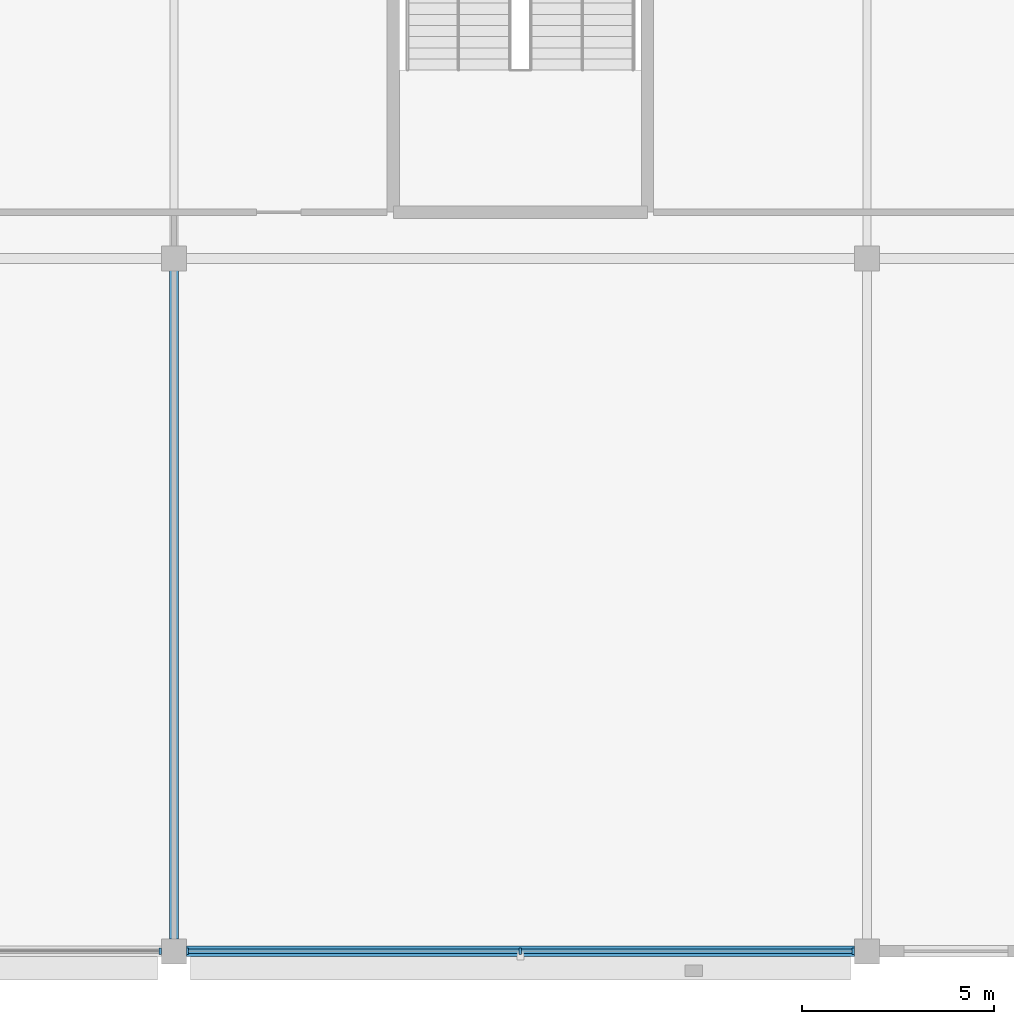
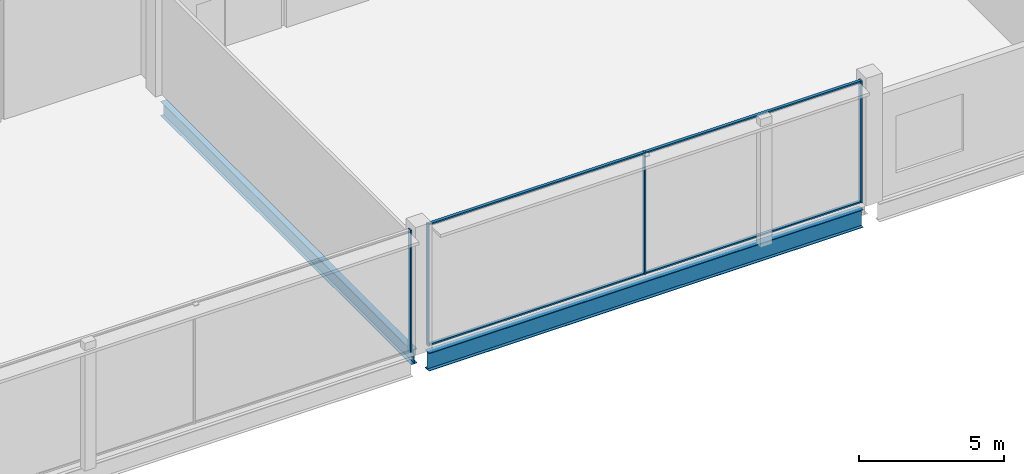
# One storey, part 21 of 111: 8 members, 2 beams, 2 elements without a shape of their own.
"""IFC4 building model written with IfcOpenShell, lengths in metres."""

import ifcopenshell
import ifcopenshell.guid

model = None  # the IFC model being written
_history = None  # IfcOwnerHistory: only IFC2X3 demands one
_inside = {}  # id of a spatial element -> (the spatial element, [elements in it])
_under = {}  # id of a project, library or spatial element -> (it, [spatial elements below it])
_declared = {}  # id of a project -> (the project, [libraries it declares])
_typed = {}  # id of a type object -> (the type object, [elements of that type])
_made_of = {}  # id of a material, layer set ... -> (it, [elements and type objects made of it])


def new_model(schema):
    """Start an empty IFC model of exactly this schema.

    Asked for "IFC4X3", IfcOpenShell would pick the latest addendum, in which some entities
    have other attributes; the version numbers below select the first issue.
    IFC2X3 requires an IfcOwnerHistory on every rooted entity: one is made here for all.
    """
    global model, _history
    if schema == "IFC4X3":
        model = ifcopenshell.file(schema_version=(4, 3, 0, 0))
    else:
        model = ifcopenshell.file(schema=schema)
    _inside.clear()
    _under.clear()
    _declared.clear()
    _typed.clear()
    _made_of.clear()
    _history = None
    if model.schema == "IFC2X3":
        org = make("IfcOrganization", Name="unknown")
        user = make(
            "IfcPersonAndOrganization",
            ThePerson=make("IfcPerson", FamilyName="unknown"),
            TheOrganization=org,
        )
        app = make(
            "IfcApplication",
            ApplicationDeveloper=org,
            Version="unknown",
            ApplicationFullName="unknown",
            ApplicationIdentifier="unknown",
        )
        _history = make(
            "IfcOwnerHistory",
            OwningUser=user,
            OwningApplication=app,
            ChangeAction="ADDED",
            CreationDate=0,
        )
    return model


def make(cls, **values):
    """One entity of the class cls with the attributes given. An attribute that is None is left unset."""
    return model.create_entity(
        cls, **{name: value for name, value in values.items() if value is not None}
    )


def rooted(cls, **values):
    """An entity with a GlobalId (a new one), such as an element, a storey or a relation."""
    return make(cls, GlobalId=ifcopenshell.guid.new(), OwnerHistory=_history, **values)


def si_unit(unit_type, name, prefix=None):
    """IfcSIUnit, for example si_unit("LENGTHUNIT", "METRE", prefix="MILLI")."""
    return make("IfcSIUnit", UnitType=unit_type, Prefix=prefix, Name=name)


def assignment(units):
    """IfcUnitAssignment: the units of a project."""
    return None if units is None else make("IfcUnitAssignment", Units=units)


def point(xyz):
    """IfcCartesianPoint."""
    return None if xyz is None else make("IfcCartesianPoint", Coordinates=xyz)


def direction(xyz):
    """IfcDirection."""
    return None if xyz is None else make("IfcDirection", DirectionRatios=xyz)


def frame(location, z_axis=None, x_axis=None):
    """IfcAxis2Placement3D, a coordinate frame: its origin and axes. An axis left out is left unset."""
    return make(
        "IfcAxis2Placement3D",
        Location=point(location),
        Axis=direction(z_axis),
        RefDirection=direction(x_axis),
    )


def frame_2d(location, x_axis=None):
    """IfcAxis2Placement2D, a coordinate frame in the plane: its origin and x axis."""
    return make(
        "IfcAxis2Placement2D", Location=point(location), RefDirection=direction(x_axis)
    )


def origin():
    """The frame at (0, 0, 0) with its axes left unset."""
    return frame((0.0, 0.0, 0.0))


def origin_2d():
    """The frame at (0, 0) in the plane with its x axis left unset."""
    return frame_2d((0.0, 0.0))


def place(relative_to, where):
    """IfcLocalPlacement: puts the frame where relative to a parent placement (None: the world)."""
    return make(
        "IfcLocalPlacement", PlacementRelTo=relative_to, RelativePlacement=where
    )


def context(
    kind, dimensions, precision=None, world=None, true_north=None, identifier=None
):
    """IfcGeometricRepresentationContext, for example the 3D "Model" context."""
    return make(
        "IfcGeometricRepresentationContext",
        ContextIdentifier=identifier,
        ContextType=kind,
        CoordinateSpaceDimension=dimensions,
        Precision=precision,
        WorldCoordinateSystem=world,
        TrueNorth=true_north,
    )


def subcontext(parent, identifier, kind, view, scale=None):
    """IfcGeometricRepresentationSubContext, for example "Body" below "Model"."""
    return make(
        "IfcGeometricRepresentationSubContext",
        ContextIdentifier=identifier,
        ContextType=kind,
        ParentContext=parent,
        TargetScale=scale,
        TargetView=view,
    )


def project(units=None, contexts=None):
    """IfcProject with its units and contexts."""
    return rooted(
        "IfcProject",
        Name="project",
        RepresentationContexts=contexts,
        UnitsInContext=assignment(units),
    )


def spatial(cls, under=None, at=None, **own):
    """A site, building, storey or space (cls), placed at a placement, below another one or the project."""
    s = rooted(cls, ObjectPlacement=at, **own)
    if under is not None:
        _under.setdefault(under.id(), (under, []))[1].append(s)
    return s


def profile(cls, at=None, kind="AREA", **sizes):
    """A parametric profile (cls). Its sizes go by their IFC names, for example OverallWidth=200.0."""
    return make(cls, ProfileType=kind, Position=at, **sizes)


def rectangle(**sizes):
    """IfcRectangleProfileDef."""
    return profile("IfcRectangleProfileDef", **sizes)


def i_section(**sizes):
    """IfcIShapeProfileDef."""
    return profile("IfcIShapeProfileDef", **sizes)


def extrude(swept, where, along, depth):
    """IfcExtrudedAreaSolid: the profile swept, set in the frame where, extruded along a direction by depth."""
    return make(
        "IfcExtrudedAreaSolid",
        SweptArea=swept,
        Position=where,
        ExtrudedDirection=direction(along),
        Depth=depth,
    )


def shape(context_of_items, identifier, shape_type, items):
    """IfcShapeRepresentation: the items that make up one representation, for example the "Body"."""
    return make(
        "IfcShapeRepresentation",
        ContextOfItems=context_of_items,
        RepresentationIdentifier=identifier,
        RepresentationType=shape_type,
        Items=items,
    )


def material(Name=None, Category=None):
    """IfcMaterial."""
    return make("IfcMaterial", Name=Name, Category=Category)


def layer(
    of_material, thickness, ventilated=None, Name=None, Category=None, Priority=None
):
    """IfcMaterialLayer: one layer of a wall or slab, of a material (None: an air gap)."""
    return make(
        "IfcMaterialLayer",
        Material=of_material,
        LayerThickness=thickness,
        IsVentilated=ventilated,
        Name=Name,
        Category=Category,
        Priority=Priority,
    )


def layer_set(layers, Name=None):
    """IfcMaterialLayerSet."""
    return make("IfcMaterialLayerSet", MaterialLayers=layers, LayerSetName=Name)


def material_profile(
    of_material, cross_section, Name=None, Category=None, Priority=None
):
    """IfcMaterialProfile: a cross section and its material."""
    return make(
        "IfcMaterialProfile",
        Name=Name,
        Material=of_material,
        Profile=cross_section,
        Priority=Priority,
        Category=Category,
    )


def profile_set(profiles, Name=None, composite=None):
    """IfcMaterialProfileSet."""
    return make(
        "IfcMaterialProfileSet",
        Name=Name,
        MaterialProfiles=profiles,
        CompositeProfile=composite,
    )


def made_of(thing, what):
    """Note that an element or type object is made of a material, layer set ...; save() writes the relation."""
    if what is not None:
        _made_of.setdefault(what.id(), (what, []))[1].append(thing)
    return thing


def type_object(cls, material=None, **own):
    """A type object (cls), such as IfcWallType, which elements share."""
    return made_of(rooted(cls, **own), material)


def element(
    cls,
    number,
    at=None,
    inside=None,
    cuts=None,
    type_object=None,
    material=None,
    context=None,
    identifier="Body",
    shape_type=None,
    held_by="IfcProductDefinitionShape",
    body=None,
    shapes=None,
    **own,
):
    """One element of the class cls, such as IfcWall. Its Tag is "e" and its number.

    at: its placement. inside: the storey or other place that contains it. cuts: it is an
    opening in that element (IfcRelVoidsElement). A single representation is given by context,
    identifier, shape_type and body (its items); several are given by shapes. held_by: the class
    of the entity that holds the representations. save() writes the other relations.
    """
    e = rooted(cls, Tag="e%d" % number, ObjectPlacement=at, **own)
    if body is not None:
        shapes = [shape(context, identifier, shape_type, body)]
    if shapes is not None:
        e.Representation = make(held_by, Representations=shapes)
    if inside is not None:
        _inside.setdefault(inside.id(), (inside, []))[1].append(e)
    if cuts is not None:
        rooted(
            "IfcRelVoidsElement", RelatingBuildingElement=cuts, RelatedOpeningElement=e
        )
    if type_object is not None:
        _typed.setdefault(type_object.id(), (type_object, []))[1].append(e)
    return made_of(e, material)


def aggregate(whole, parts):
    """IfcRelAggregates: a whole, such as a stair, and the parts it consists of."""
    return rooted("IfcRelAggregates", RelatingObject=whole, RelatedObjects=parts)


def save(model, path):
    """Write the relations noted so far, then the file.

    IfcRelAggregates (storeys below a building ...), IfcRelContainedInSpatialStructure (elements
    in a storey), IfcRelDefinesByType, IfcRelAssociatesMaterial and IfcRelDeclares: one each for
    every whole, place, type object, material and project.
    """
    for whole, parts in _under.values():
        aggregate(whole, parts)
    for where, things in _inside.values():
        rooted(
            "IfcRelContainedInSpatialStructure",
            RelatedElements=things,
            RelatingStructure=where,
        )
    for kind, things in _typed.values():
        rooted("IfcRelDefinesByType", RelatedObjects=things, RelatingType=kind)
    for what, things in _made_of.values():
        rooted("IfcRelAssociatesMaterial", RelatedObjects=things, RelatingMaterial=what)
    for by, libraries in _declared.values():
        rooted("IfcRelDeclares", RelatingContext=by, RelatedDefinitions=libraries)
    model.write(path)


model = new_model("IFC4")

# Units and contexts
model_context = context("Model", 3, precision=1e-05, world=origin(), true_north=direction((0.0, 1.0)))
body_context = subcontext(model_context, "Body", "Model", "MODEL_VIEW")
ifc_project = project(units=[si_unit("LENGTHUNIT", "METRE"), si_unit("AREAUNIT", "SQUARE_METRE"), si_unit("VOLUMEUNIT", "CUBIC_METRE"), si_unit("PLANEANGLEUNIT", "RADIAN"), si_unit("MASSUNIT", "GRAM", prefix="KILO")], contexts=[model_context])

# Site, building, storey
site_placement = place(None, origin())
site = spatial("IfcSite", under=ifc_project, at=site_placement, CompositionType="ELEMENT")
building_placement = place(site_placement, origin())
building = spatial("IfcBuilding", under=site, at=building_placement, Name="Kisiwana Market Hall", CompositionType="ELEMENT")
storey_placement = place(building_placement, frame((0.0, 0.0, 11.39990234375)))
storey = spatial("IfcBuildingStorey", under=building, at=storey_placement, Name="L02", CompositionType="ELEMENT", Elevation=11.39990234375)

# Beams
ifc_material_1 = material(Name="Steel S355", Category="steel")
ifc_material_profile_1 = material_profile(ifc_material_1, i_section(OverallWidth=0.22900390625, OverallDepth=0.6123046875, WebThickness=0.011962890625, FlangeThickness=0.01953125, at=origin_2d()), Name="UB 610x229x125")
ifc_profile_set_1 = profile_set([ifc_material_profile_1], Name="Steel S355")
beam_type_1 = type_object("IfcBeamType", Name="BM-GIRD-UB610H", PredefinedType="BEAM", material=ifc_profile_set_1)
beam_1_placement = place(storey_placement, frame((99.0, 0.321044921875, -0.555908203125), z_axis=(0.0, 1.0, 0.0), x_axis=(-1.0, 0.0, 0.0)))
element("IfcBeam", 1, at=beam_1_placement, inside=storey, type_object=beam_type_1, Name="Primary girder B-0643", PredefinedType="BEAM", context=body_context, shape_type="SweptSolid", body=[
    extrude(i_section(OverallWidth=0.22900390625, OverallDepth=0.6123046875, WebThickness=0.011962890625, FlangeThickness=0.01953125, at=origin_2d()), origin(), (0.0, 0.0, 1.0), 17.35791015625),
])
ifc_material_2 = material(Name="Steel S355", Category="steel")
ifc_material_profile_2 = material_profile(ifc_material_2, i_section(OverallWidth=0.2666015625, OverallDepth=0.76220703125, WebThickness=0.014404296875, FlangeThickness=0.021484375, at=origin_2d()), Name="UB 762x267x173")
ifc_profile_set_2 = profile_set([ifc_material_profile_2], Name="Steel S355")
beam_type_2 = type_object("IfcBeamType", Name="BM-GIRD-UB762", PredefinedType="BEAM", material=ifc_profile_set_2)
beam_2_placement = place(storey_placement, frame((99.321044921875, 0.0, -0.631103515625), z_axis=(1.0, 0.0, 0.0), x_axis=(0.0, 1.0, 0.0)))
element("IfcBeam", 2, at=beam_2_placement, inside=storey, type_object=beam_type_2, Name="Floor beam B-0726", PredefinedType="BEAM", context=body_context, shape_type="SweptSolid", body=[
    extrude(i_section(OverallWidth=0.2666015625, OverallDepth=0.76220703125, WebThickness=0.014404296875, FlangeThickness=0.021484375, at=origin_2d()), origin(), (0.0, 0.0, 1.0), 17.35791015625),
])

# Curtain wall, member
ifc_material_3 = material(Name="Double-glazed solar-control low-E IGU", Category="glass")
ifc_layer = layer(ifc_material_3, 0.159912109375)
ifc_layer_set = layer_set([ifc_layer], Name="CW-GLD-W-6400")
curtain_wall_type = type_object("IfcCurtainWallType", Name="CW-GLD-W-6400", PredefinedType="USERDEFINED", material=ifc_layer_set)
curtain_wall_1_placement = place(storey_placement, origin())
curtain_wall_1 = element("IfcCurtainWall", 3, at=curtain_wall_1_placement, inside=storey, type_object=curtain_wall_type, Name="Unitised curtain wall CW-057 (L02)", ObjectType="UNITISED CURTAIN WALL", PredefinedType="USERDEFINED")
ifc_material_4 = material(Name="Aluminium alloy 6063-T6", Category="aluminium")
ifc_material_profile_3 = material_profile(ifc_material_4, rectangle(XDim=0.06005859375, YDim=0.159912109375, at=origin_2d()), Name="ALU MULLION 60x160")
ifc_profile_set_3 = profile_set([ifc_material_profile_3], Name="Aluminium alloy 6063-T6")
member_type_1 = type_object("IfcMemberType", Name="CW-MULL-60x160", PredefinedType="MULLION", material=ifc_profile_set_3)
member_1_placement = place(storey_placement, frame((98.64501953125, 0.0, 0.0), z_axis=(0.0, 0.0, 1.0), x_axis=(1.0, 0.0, 0.0)))
member_1 = element("IfcMember", 4, at=member_1_placement, type_object=member_type_1, Name="CW-057 mullion 3", PredefinedType="MULLION", context=body_context, shape_type="SweptSolid", body=[
    extrude(rectangle(XDim=0.06005859375, YDim=0.159912109375, at=origin_2d()), origin(), (0.0, 0.0, 1.0), 5.150146484375),
])
aggregate(curtain_wall_1, [member_1])

# Curtain wall, members
curtain_wall_2_placement = place(storey_placement, origin())
curtain_wall_2 = element("IfcCurtainWall", 5, at=curtain_wall_2_placement, inside=storey, type_object=curtain_wall_type, Name="Unitised curtain wall CW-058 (L02)", ObjectType="UNITISED CURTAIN WALL", PredefinedType="USERDEFINED")
member_2_placement = place(storey_placement, frame((99.35498046875, 0.0, 0.0), z_axis=(0.0, 0.0, 1.0), x_axis=(1.0, 0.0, 0.0)))
member_2 = element("IfcMember", 6, at=member_2_placement, type_object=member_type_1, Name="CW-058 mullion 1", PredefinedType="MULLION", context=body_context, shape_type="SweptSolid", body=[
    extrude(rectangle(XDim=0.06005859375, YDim=0.159912109375, at=origin_2d()), origin(), (0.0, 0.0, 1.0), 5.150146484375),
])
member_3_placement = place(storey_placement, frame((108.0, 0.0, 0.0), z_axis=(0.0, 0.0, 1.0), x_axis=(1.0, 0.0, 0.0)))
member_3 = element("IfcMember", 7, at=member_3_placement, type_object=member_type_1, Name="CW-058 mullion 2", PredefinedType="MULLION", context=body_context, shape_type="SweptSolid", body=[
    extrude(rectangle(XDim=0.06005859375, YDim=0.159912109375, at=origin_2d()), origin(), (0.0, 0.0, 1.0), 5.150146484375),
])
member_4_placement = place(storey_placement, frame((116.64501953125, 0.0, 0.0), z_axis=(0.0, 0.0, 1.0), x_axis=(1.0, 0.0, 0.0)))
member_4 = element("IfcMember", 8, at=member_4_placement, type_object=member_type_1, Name="CW-058 mullion 3", PredefinedType="MULLION", context=body_context, shape_type="SweptSolid", body=[
    extrude(rectangle(XDim=0.06005859375, YDim=0.159912109375, at=origin_2d()), origin(), (0.0, 0.0, 1.0), 5.150146484375),
])
ifc_material_5 = material(Name="Aluminium alloy 6063-T6", Category="aluminium")
ifc_material_profile_4 = material_profile(ifc_material_5, rectangle(XDim=0.1201171875, YDim=0.06005859375, at=origin_2d()), Name="ALU TRANSOM 60x120")
ifc_profile_set_4 = profile_set([ifc_material_profile_4], Name="Aluminium alloy 6063-T6")
member_type_2 = type_object("IfcMemberType", Name="CW-TRAN-60x120", PredefinedType="USERDEFINED", material=ifc_profile_set_4)
member_5_placement = place(storey_placement, frame((99.385009765625, 0.0, 0.030029296875), z_axis=(1.0, 0.0, 0.0), x_axis=(0.0, 1.0, 0.0)))
member_5 = element("IfcMember", 9, at=member_5_placement, type_object=member_type_2, Name="CW-058 transom 1.1", ObjectType="TRANSOM", PredefinedType="USERDEFINED", context=body_context, shape_type="SweptSolid", body=[
    extrude(rectangle(XDim=0.1201171875, YDim=0.06005859375, at=origin_2d()), origin(), (0.0, 0.0, 1.0), 8.5849609375),
])
member_6_placement = place(storey_placement, frame((99.385009765625, 0.0, 5.1201171875), z_axis=(1.0, 0.0, 0.0), x_axis=(0.0, 1.0, 0.0)))
member_6 = element("IfcMember", 10, at=member_6_placement, type_object=member_type_2, Name="CW-058 transom 1.2", ObjectType="TRANSOM", PredefinedType="USERDEFINED", context=body_context, shape_type="SweptSolid", body=[
    extrude(rectangle(XDim=0.1201171875, YDim=0.06005859375, at=origin_2d()), origin(), (0.0, 0.0, 1.0), 8.5849609375),
])
member_7_placement = place(storey_placement, frame((108.030029296875, 0.0, 0.030029296875), z_axis=(1.0, 0.0, 0.0), x_axis=(0.0, 1.0, 0.0)))
member_7 = element("IfcMember", 11, at=member_7_placement, type_object=member_type_2, Name="CW-058 transom 2.1", ObjectType="TRANSOM", PredefinedType="USERDEFINED", context=body_context, shape_type="SweptSolid", body=[
    extrude(rectangle(XDim=0.1201171875, YDim=0.06005859375, at=origin_2d()), origin(), (0.0, 0.0, 1.0), 8.5849609375),
])
member_8_placement = place(storey_placement, frame((108.030029296875, 0.0, 5.1201171875), z_axis=(1.0, 0.0, 0.0), x_axis=(0.0, 1.0, 0.0)))
member_8 = element("IfcMember", 12, at=member_8_placement, type_object=member_type_2, Name="CW-058 transom 2.2", ObjectType="TRANSOM", PredefinedType="USERDEFINED", context=body_context, shape_type="SweptSolid", body=[
    extrude(rectangle(XDim=0.1201171875, YDim=0.06005859375, at=origin_2d()), origin(), (0.0, 0.0, 1.0), 8.5849609375),
])
aggregate(curtain_wall_2, [member_2, member_3, member_4, member_5, member_6, member_7, member_8])

save(model, "model.ifc")
